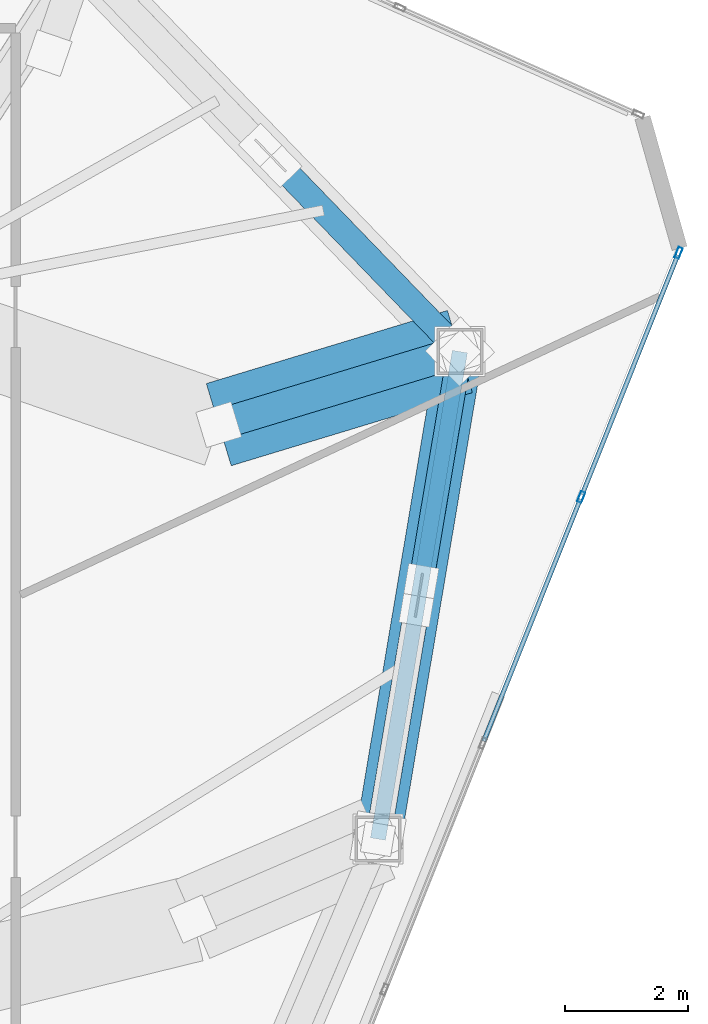
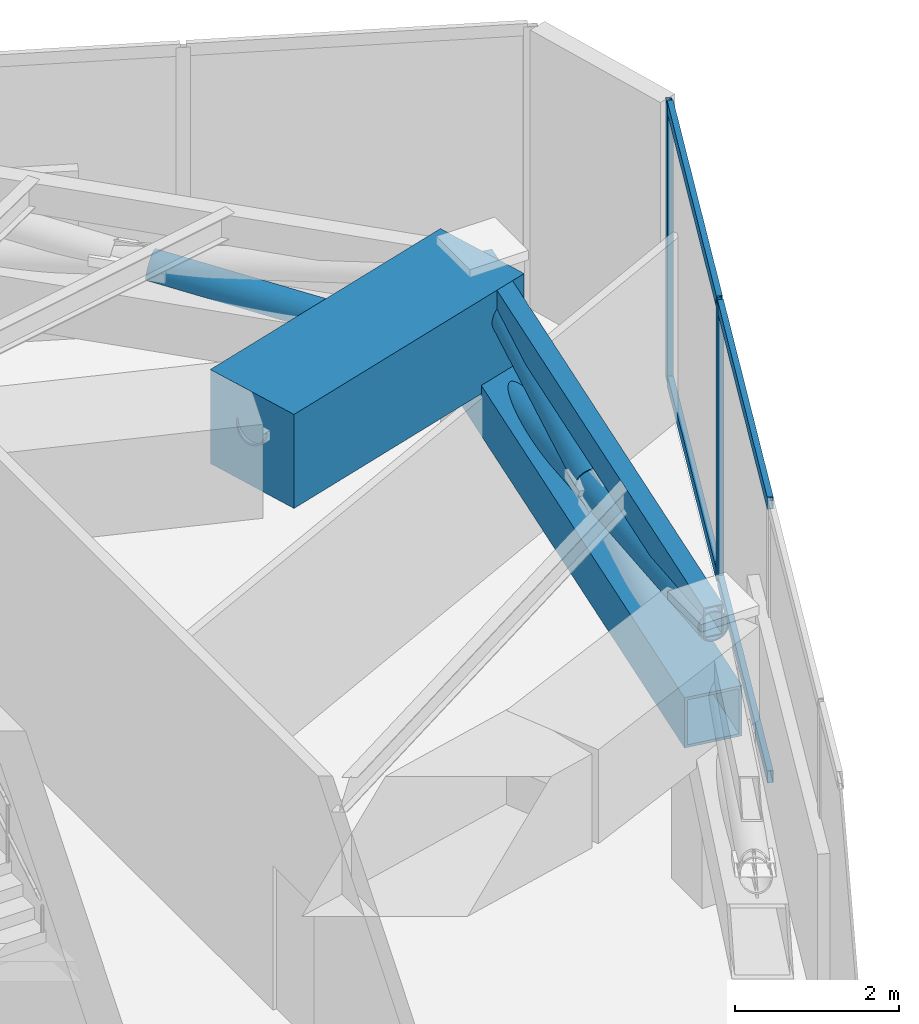
# One storey, part 11 of 21: 11 members, 2 beams, 1 element without a shape of its own.
"""IFC4 building model written with IfcOpenShell, lengths in metres."""

import ifcopenshell
import ifcopenshell.guid

model = None  # the IFC model being written
_history = None  # IfcOwnerHistory: only IFC2X3 demands one
_inside = {}  # id of a spatial element -> (the spatial element, [elements in it])
_under = {}  # id of a project, library or spatial element -> (it, [spatial elements below it])
_declared = {}  # id of a project -> (the project, [libraries it declares])
_typed = {}  # id of a type object -> (the type object, [elements of that type])
_made_of = {}  # id of a material, layer set ... -> (it, [elements and type objects made of it])


def new_model(schema):
    """Start an empty IFC model of exactly this schema.

    Asked for "IFC4X3", IfcOpenShell would pick the latest addendum, in which some entities
    have other attributes; the version numbers below select the first issue.
    IFC2X3 requires an IfcOwnerHistory on every rooted entity: one is made here for all.
    """
    global model, _history
    if schema == "IFC4X3":
        model = ifcopenshell.file(schema_version=(4, 3, 0, 0))
    else:
        model = ifcopenshell.file(schema=schema)
    _inside.clear()
    _under.clear()
    _declared.clear()
    _typed.clear()
    _made_of.clear()
    _history = None
    if model.schema == "IFC2X3":
        org = make("IfcOrganization", Name="unknown")
        user = make(
            "IfcPersonAndOrganization",
            ThePerson=make("IfcPerson", FamilyName="unknown"),
            TheOrganization=org,
        )
        app = make(
            "IfcApplication",
            ApplicationDeveloper=org,
            Version="unknown",
            ApplicationFullName="unknown",
            ApplicationIdentifier="unknown",
        )
        _history = make(
            "IfcOwnerHistory",
            OwningUser=user,
            OwningApplication=app,
            ChangeAction="ADDED",
            CreationDate=0,
        )
    return model


def make(cls, **values):
    """One entity of the class cls with the attributes given. An attribute that is None is left unset."""
    return model.create_entity(
        cls, **{name: value for name, value in values.items() if value is not None}
    )


def rooted(cls, **values):
    """An entity with a GlobalId (a new one), such as an element, a storey or a relation."""
    return make(cls, GlobalId=ifcopenshell.guid.new(), OwnerHistory=_history, **values)


def si_unit(unit_type, name, prefix=None):
    """IfcSIUnit, for example si_unit("LENGTHUNIT", "METRE", prefix="MILLI")."""
    return make("IfcSIUnit", UnitType=unit_type, Prefix=prefix, Name=name)


def assignment(units):
    """IfcUnitAssignment: the units of a project."""
    return None if units is None else make("IfcUnitAssignment", Units=units)


def point(xyz):
    """IfcCartesianPoint."""
    return None if xyz is None else make("IfcCartesianPoint", Coordinates=xyz)


def direction(xyz):
    """IfcDirection."""
    return None if xyz is None else make("IfcDirection", DirectionRatios=xyz)


def frame(location, z_axis=None, x_axis=None):
    """IfcAxis2Placement3D, a coordinate frame: its origin and axes. An axis left out is left unset."""
    return make(
        "IfcAxis2Placement3D",
        Location=point(location),
        Axis=direction(z_axis),
        RefDirection=direction(x_axis),
    )


def frame_2d(location, x_axis=None):
    """IfcAxis2Placement2D, a coordinate frame in the plane: its origin and x axis."""
    return make(
        "IfcAxis2Placement2D", Location=point(location), RefDirection=direction(x_axis)
    )


def origin():
    """The frame at (0, 0, 0) with its axes left unset."""
    return frame((0.0, 0.0, 0.0))


def origin_2d():
    """The frame at (0, 0) in the plane with its x axis left unset."""
    return frame_2d((0.0, 0.0))


def place(relative_to, where):
    """IfcLocalPlacement: puts the frame where relative to a parent placement (None: the world)."""
    return make(
        "IfcLocalPlacement", PlacementRelTo=relative_to, RelativePlacement=where
    )


def context(
    kind, dimensions, precision=None, world=None, true_north=None, identifier=None
):
    """IfcGeometricRepresentationContext, for example the 3D "Model" context."""
    return make(
        "IfcGeometricRepresentationContext",
        ContextIdentifier=identifier,
        ContextType=kind,
        CoordinateSpaceDimension=dimensions,
        Precision=precision,
        WorldCoordinateSystem=world,
        TrueNorth=true_north,
    )


def subcontext(parent, identifier, kind, view, scale=None):
    """IfcGeometricRepresentationSubContext, for example "Body" below "Model"."""
    return make(
        "IfcGeometricRepresentationSubContext",
        ContextIdentifier=identifier,
        ContextType=kind,
        ParentContext=parent,
        TargetScale=scale,
        TargetView=view,
    )


def project(units=None, contexts=None):
    """IfcProject with its units and contexts."""
    return rooted(
        "IfcProject",
        Name="project",
        RepresentationContexts=contexts,
        UnitsInContext=assignment(units),
    )


def spatial(cls, under=None, at=None, **own):
    """A site, building, storey or space (cls), placed at a placement, below another one or the project."""
    s = rooted(cls, ObjectPlacement=at, **own)
    if under is not None:
        _under.setdefault(under.id(), (under, []))[1].append(s)
    return s


def profile(cls, at=None, kind="AREA", **sizes):
    """A parametric profile (cls). Its sizes go by their IFC names, for example OverallWidth=200.0."""
    return make(cls, ProfileType=kind, Position=at, **sizes)


def rectangle(**sizes):
    """IfcRectangleProfileDef."""
    return profile("IfcRectangleProfileDef", **sizes)


def hollow_rectangle(**sizes):
    """IfcRectangleHollowProfileDef."""
    return profile("IfcRectangleHollowProfileDef", **sizes)


def hollow_circle(**sizes):
    """IfcCircleHollowProfileDef."""
    return profile("IfcCircleHollowProfileDef", **sizes)


def extrude(swept, where, along, depth):
    """IfcExtrudedAreaSolid: the profile swept, set in the frame where, extruded along a direction by depth."""
    return make(
        "IfcExtrudedAreaSolid",
        SweptArea=swept,
        Position=where,
        ExtrudedDirection=direction(along),
        Depth=depth,
    )


def shape(context_of_items, identifier, shape_type, items):
    """IfcShapeRepresentation: the items that make up one representation, for example the "Body"."""
    return make(
        "IfcShapeRepresentation",
        ContextOfItems=context_of_items,
        RepresentationIdentifier=identifier,
        RepresentationType=shape_type,
        Items=items,
    )


def source(mapping_origin, context_of_items, identifier, shape_type, items):
    """IfcRepresentationMap: a shape defined once, which mapped items show again and again."""
    return make(
        "IfcRepresentationMap",
        MappingOrigin=mapping_origin,
        MappedRepresentation=shape(context_of_items, identifier, shape_type, items),
    )


def transform(
    local_origin,
    x_axis=None,
    y_axis=None,
    z_axis=None,
    scale=None,
    scale2=None,
    scale3=None,
    uniform=True,
):
    """IfcCartesianTransformationOperator3D, or its non-uniform kind. x_axis, y_axis, z_axis: its Axis1, 2, 3."""
    if uniform:
        return make(
            "IfcCartesianTransformationOperator3D",
            Axis1=direction(x_axis),
            Axis2=direction(y_axis),
            LocalOrigin=point(local_origin),
            Scale=scale,
            Axis3=direction(z_axis),
        )
    return make(
        "IfcCartesianTransformationOperator3DnonUniform",
        Axis1=direction(x_axis),
        Axis2=direction(y_axis),
        LocalOrigin=point(local_origin),
        Scale=scale,
        Axis3=direction(z_axis),
        Scale2=scale2,
        Scale3=scale3,
    )


def mapped(mapping_source, mapping_target):
    """IfcMappedItem: shows the shape of a source again, moved by a transform."""
    return make(
        "IfcMappedItem", MappingSource=mapping_source, MappingTarget=mapping_target
    )


def material(Name=None, Category=None):
    """IfcMaterial."""
    return make("IfcMaterial", Name=Name, Category=Category)


def layer(
    of_material, thickness, ventilated=None, Name=None, Category=None, Priority=None
):
    """IfcMaterialLayer: one layer of a wall or slab, of a material (None: an air gap)."""
    return make(
        "IfcMaterialLayer",
        Material=of_material,
        LayerThickness=thickness,
        IsVentilated=ventilated,
        Name=Name,
        Category=Category,
        Priority=Priority,
    )


def layer_set(layers, Name=None):
    """IfcMaterialLayerSet."""
    return make("IfcMaterialLayerSet", MaterialLayers=layers, LayerSetName=Name)


def material_profile(
    of_material, cross_section, Name=None, Category=None, Priority=None
):
    """IfcMaterialProfile: a cross section and its material."""
    return make(
        "IfcMaterialProfile",
        Name=Name,
        Material=of_material,
        Profile=cross_section,
        Priority=Priority,
        Category=Category,
    )


def profile_set(profiles, Name=None, composite=None):
    """IfcMaterialProfileSet."""
    return make(
        "IfcMaterialProfileSet",
        Name=Name,
        MaterialProfiles=profiles,
        CompositeProfile=composite,
    )


def made_of(thing, what):
    """Note that an element or type object is made of a material, layer set ...; save() writes the relation."""
    if what is not None:
        _made_of.setdefault(what.id(), (what, []))[1].append(thing)
    return thing


def type_object(cls, material=None, **own):
    """A type object (cls), such as IfcWallType, which elements share."""
    return made_of(rooted(cls, **own), material)


def type_shapes(of_type, sources):
    """Give a type object the sources (RepresentationMaps) that its elements show as mapped items."""
    of_type.RepresentationMaps = sources


def element(
    cls,
    number,
    at=None,
    inside=None,
    cuts=None,
    type_object=None,
    material=None,
    context=None,
    identifier="Body",
    shape_type=None,
    held_by="IfcProductDefinitionShape",
    body=None,
    shapes=None,
    **own,
):
    """One element of the class cls, such as IfcWall. Its Tag is "e" and its number.

    at: its placement. inside: the storey or other place that contains it. cuts: it is an
    opening in that element (IfcRelVoidsElement). A single representation is given by context,
    identifier, shape_type and body (its items); several are given by shapes. held_by: the class
    of the entity that holds the representations. save() writes the other relations.
    """
    e = rooted(cls, Tag="e%d" % number, ObjectPlacement=at, **own)
    if body is not None:
        shapes = [shape(context, identifier, shape_type, body)]
    if shapes is not None:
        e.Representation = make(held_by, Representations=shapes)
    if inside is not None:
        _inside.setdefault(inside.id(), (inside, []))[1].append(e)
    if cuts is not None:
        rooted(
            "IfcRelVoidsElement", RelatingBuildingElement=cuts, RelatedOpeningElement=e
        )
    if type_object is not None:
        _typed.setdefault(type_object.id(), (type_object, []))[1].append(e)
    return made_of(e, material)


def aggregate(whole, parts):
    """IfcRelAggregates: a whole, such as a stair, and the parts it consists of."""
    return rooted("IfcRelAggregates", RelatingObject=whole, RelatedObjects=parts)


def save(model, path):
    """Write the relations noted so far, then the file.

    IfcRelAggregates (storeys below a building ...), IfcRelContainedInSpatialStructure (elements
    in a storey), IfcRelDefinesByType, IfcRelAssociatesMaterial and IfcRelDeclares: one each for
    every whole, place, type object, material and project.
    """
    for whole, parts in _under.values():
        aggregate(whole, parts)
    for where, things in _inside.values():
        rooted(
            "IfcRelContainedInSpatialStructure",
            RelatedElements=things,
            RelatingStructure=where,
        )
    for kind, things in _typed.values():
        rooted("IfcRelDefinesByType", RelatedObjects=things, RelatingType=kind)
    for what, things in _made_of.values():
        rooted("IfcRelAssociatesMaterial", RelatedObjects=things, RelatingMaterial=what)
    for by, libraries in _declared.values():
        rooted("IfcRelDeclares", RelatingContext=by, RelatedDefinitions=libraries)
    model.write(path)


model = new_model("IFC4")

# Units and contexts
model_context = context("Model", 3, precision=1e-05, world=origin(), true_north=direction((0.0, 1.0)))
body_context = subcontext(model_context, "Body", "Model", "MODEL_VIEW")
ifc_project = project(units=[si_unit("LENGTHUNIT", "METRE"), si_unit("AREAUNIT", "SQUARE_METRE"), si_unit("VOLUMEUNIT", "CUBIC_METRE"), si_unit("PLANEANGLEUNIT", "RADIAN"), si_unit("MASSUNIT", "GRAM", prefix="KILO")], contexts=[model_context])

# Site, building, storey
site_placement = place(None, origin())
site = spatial("IfcSite", under=ifc_project, at=site_placement, CompositionType="ELEMENT")
building_placement = place(site_placement, origin())
building = spatial("IfcBuilding", under=site, at=building_placement, Name="Talar Marvaseh", CompositionType="ELEMENT")
storey_placement = place(building_placement, frame((0.0, 0.0, 162.39990234375)))
storey = spatial("IfcBuildingStorey", under=building, at=storey_placement, Name="L42", CompositionType="ELEMENT", Elevation=162.39990234375)

# Beams
ifc_material_1 = material(Name="Concrete C70/85", Category="concrete")
ifc_material_profile_1 = material_profile(ifc_material_1, rectangle(XDim=1.39990234375, YDim=1.39990234375, at=origin_2d()), Name="RC1400x1400")
ifc_profile_set_1 = profile_set([ifc_material_profile_1], Name="Concrete C70/85")
beam_type_1 = type_object("IfcBeamType", Name="Setback Deep Concrete Transfer Girder RC1400x1400", PredefinedType="BEAM", material=ifc_profile_set_1)
beam_1_placement = place(storey_placement, frame((43.0439453125, 36.075927734375, 3.4501953125), z_axis=(-0.956976402767, -0.290165753575, 0.0), x_axis=(0.290165753575, -0.956976402767, 0.0)))
element("IfcBeam", 1, at=beam_1_placement, inside=storey, type_object=beam_type_1, Name="L42 Setback Cantilever Transfer Girder 3", PredefinedType="BEAM", context=body_context, shape_type="SweptSolid", body=[
    extrude(rectangle(XDim=1.39990234375, YDim=1.39990234375, at=origin_2d()), origin(), (0.0, 0.0, 1.0), 4.107666015625),
])
ifc_material_2 = material(Name="Steel S355", Category="steel")
ifc_material_profile_2 = material_profile(ifc_material_2, hollow_rectangle(XDim=0.25, YDim=0.449951171875, WallThickness=0.01611328125, at=origin_2d()), Name="RHS450x250x16")
ifc_profile_set_2 = profile_set([ifc_material_profile_2], Name="Steel S355")
beam_type_2 = type_object("IfcBeamType", Name="Zone 2 Perimeter Spandrel Beam RHS450x250x16", PredefinedType="SPANDREL", material=ifc_profile_set_2)
beam_2_placement = place(storey_placement, frame((43.0439453125, 36.075927734375, 3.925048828125), z_axis=(-0.165641685249, -0.986186002795, 0.0), x_axis=(0.986186002795, -0.165641685249, 0.0)))
element("IfcBeam", 2, at=beam_2_placement, inside=storey, type_object=beam_type_2, Name="L42 Zone 2 Perimeter Spandrel Beam RHS450x250x16", PredefinedType="SPANDREL", context=body_context, shape_type="SweptSolid", body=[
    extrude(hollow_rectangle(XDim=0.25, YDim=0.449951171875, WallThickness=0.01611328125, at=origin_2d()), origin(), (0.0, 0.0, 1.0), 8.059326171875),
])

# Members
ifc_material_3 = material(Name="Steel S460", Category="steel")
ifc_material_profile_3 = material_profile(ifc_material_3, hollow_circle(Radius=0.25390625, WallThickness=0.02001953125, at=origin_2d()), Name="CHS508x20")
ifc_profile_set_3 = profile_set([ifc_material_profile_3], Name="Steel S460")
member_type_1 = type_object("IfcMemberType", Name="Crown Frame Diagonal Brace CHS508x20", PredefinedType="BRACE", material=ifc_profile_set_3)
shared_shape_1 = source(origin(), body_context, "Body", "SweptSolid", [
    extrude(hollow_circle(Radius=0.25390625, WallThickness=0.02001953125, at=origin_2d()), origin(), (0.0, 0.0, 1.0), 4.25244140625),
])
type_shapes(member_type_1, [shared_shape_1])
member_1_placement = place(storey_placement, frame((43.0439453125, 36.075927734375, 2.550048828125), z_axis=(-0.924398562115, -0.280287794562, 0.258700696906), x_axis=(0.290165753575, -0.956976402767, 0.0)))
element("IfcMember", 3, at=member_1_placement, inside=storey, type_object=member_type_1, Name="L42 Setback Transfer Raked Strut 3", PredefinedType="BRACE", context=body_context, shape_type="MappedRepresentation", body=[
    mapped(shared_shape_1, transform((0.0, 0.0, 0.0), x_axis=(1.0, 0.0, 0.0), y_axis=(0.0, 1.0, 0.0), z_axis=(0.0, 0.0, 1.0), scale=1.0)),
])
ifc_material_profile_4 = material_profile(ifc_material_3, hollow_circle(Radius=0.203125, WallThickness=0.01611328125, at=origin_2d()), Name="CHS406x16")
ifc_profile_set_4 = profile_set([ifc_material_profile_4], Name="Steel S460")
member_type_2 = type_object("IfcMemberType", Name="Belt Truss Diagonal Brace CHS406x16", PredefinedType="BRACE", material=ifc_profile_set_4)
shared_shape_2 = source(origin(), body_context, "Body", "SweptSolid", [
    extrude(hollow_circle(Radius=0.203125, WallThickness=0.01611328125, at=origin_2d()), origin(), (0.0, 0.0, 1.0), 4.2568359375),
])
member_2_placement = place(storey_placement, frame((43.0439453125, 36.075927734375, 2.5), z_axis=(-0.68691353556, 0.711059030965, 0.150149422735), x_axis=(-0.719212516559, -0.69479015251, 0.0)))
element("IfcMember", 4, at=member_2_placement, inside=storey, type_object=member_type_2, Name="L42 Belt Truss Split Diagonal Lower 1", PredefinedType="BRACE", context=body_context, shape_type="MappedRepresentation", body=[
    mapped(shared_shape_2, transform((0.0, 0.0, 0.0), x_axis=(1.0, 0.0, 0.0), y_axis=(0.0, 1.0, 0.0), z_axis=(0.0, 0.0, 1.0), scale=1.0)),
])
ifc_material_profile_5 = material_profile(ifc_material_3, hollow_rectangle(XDim=0.75, YDim=0.75, WallThickness=0.0400390625, at=origin_2d()), Name="BOX750x750x40")
ifc_profile_set_5 = profile_set([ifc_material_profile_5], Name="Steel S460")
member_type_3 = type_object("IfcMemberType", Name="Belt Truss Chord Member BOX750x750x40", PredefinedType="CHORD", material=ifc_profile_set_5)
shared_shape_3 = source(origin(), body_context, "Body", "SweptSolid", [
    extrude(hollow_rectangle(XDim=0.75, YDim=0.75, WallThickness=0.0400390625, at=origin_2d()), origin(), (0.0, 0.0, 1.0), 8.059326171875),
])
type_shapes(member_type_3, [shared_shape_3])
member_3_placement = place(storey_placement, frame((43.0439453125, 36.075927734375, 2.5), z_axis=(-0.165641685249, -0.986186002795, 0.0), x_axis=(0.986186002795, -0.165641685249, 0.0)))
element("IfcMember", 5, at=member_3_placement, inside=storey, type_object=member_type_3, Name="L42 Belt Truss Bottom Chord 2", PredefinedType="CHORD", context=body_context, shape_type="MappedRepresentation", body=[
    mapped(shared_shape_3, transform((0.0, 0.0, 0.0), x_axis=(1.0, 0.0, 0.0), y_axis=(0.0, 1.0, 0.0), z_axis=(0.0, 0.0, 1.0), scale=1.0)),
])
shared_shape_4 = source(origin(), body_context, "Body", "SweptSolid", [
    extrude(hollow_circle(Radius=0.203125, WallThickness=0.01611328125, at=origin_2d()), origin(), (0.0, 0.0, 1.0), 8.171630859375),
])
member_4_placement = place(storey_placement, frame((43.0439453125, 36.075927734375, 2.5), z_axis=(-0.163365293431, -0.972632978722, 0.165217643137), x_axis=(0.986186002795, -0.165641685249, 0.0)))
element("IfcMember", 6, at=member_4_placement, inside=storey, type_object=member_type_2, Name="L42 Belt Truss Continuous Diagonal 2", PredefinedType="BRACE", context=body_context, shape_type="MappedRepresentation", body=[
    mapped(shared_shape_4, transform((0.0, 0.0, 0.0), x_axis=(1.0, 0.0, 0.0), y_axis=(0.0, 1.0, 0.0), z_axis=(0.0, 0.0, 1.0), scale=1.0)),
])
shared_shape_5 = source(origin(), body_context, "Body", "SweptSolid", [
    extrude(hollow_circle(Radius=0.203125, WallThickness=0.01611328125, at=origin_2d()), origin(), (0.0, 0.0, 1.0), 3.845703125),
])
type_shapes(member_type_2, [shared_shape_2, shared_shape_4, shared_shape_5])
member_5_placement = place(storey_placement, frame((42.415771484375, 32.33544921875, 3.214599609375), z_axis=(0.16334319342, 0.972631584291, 0.165247700144), x_axis=(-0.986189624204, 0.165620122908, 0.0)))
element("IfcMember", 7, at=member_5_placement, inside=storey, type_object=member_type_2, Name="L42 Belt Truss Split Diagonal Upper 2", PredefinedType="BRACE", context=body_context, shape_type="MappedRepresentation", body=[
    mapped(shared_shape_5, transform((0.0, 0.0, 0.0), x_axis=(1.0, 0.0, 0.0), y_axis=(0.0, 1.0, 0.0), z_axis=(0.0, 0.0, 1.0), scale=1.0)),
])

# Curtain wall, members
ifc_material_4 = material(Name="Architectural Aluminium", Category="aluminium")
ifc_layer = layer(ifc_material_4, 0.199951171875)
ifc_layer_set = layer_set([ifc_layer], Name="Architectural Aluminium")
curtain_wall_type = type_object("IfcCurtainWallType", Name="Unitised Acoustic Library Curtain Wall Z2", PredefinedType="NOTDEFINED", material=ifc_layer_set)
curtain_wall_placement = place(storey_placement, origin())
curtain_wall = element("IfcCurtainWall", 8, at=curtain_wall_placement, inside=storey, type_object=curtain_wall_type, Name="L42 Unitised Acoustic Library Curtain Wall Z2", PredefinedType="NOTDEFINED")
ifc_material_profile_6 = material_profile(ifc_material_4, hollow_rectangle(XDim=0.074951171875, YDim=0.179931640625, WallThickness=0.0048828125, at=origin_2d()), Name="RHS180x75x5")
ifc_profile_set_6 = profile_set([ifc_material_profile_6], Name="Architectural Aluminium")
member_type_4 = type_object("IfcMemberType", Name="Unitised Curtain Wall Transom RHS180x75x5", PredefinedType="USERDEFINED", material=ifc_profile_set_6)
shared_shape_6 = source(origin(), body_context, "Body", "SweptSolid", [
    extrude(hollow_rectangle(XDim=0.074951171875, YDim=0.179931640625, WallThickness=0.0048828125, at=origin_2d()), origin(), (0.0, 0.0, 1.0), 4.24853515625),
])
member_6_placement = place(storey_placement, frame((45.008056640625, 33.669677734375, 0.03759765625), z_axis=(-0.370706939923, -0.928749893509, 0.0), x_axis=(0.928749893509, -0.370706939923, 0.0)))
member_6 = element("IfcMember", 9, at=member_6_placement, type_object=member_type_4, Name="CW-Z2 transom 2.1", ObjectType="TRANSOM", PredefinedType="USERDEFINED", context=body_context, shape_type="MappedRepresentation", body=[
    mapped(shared_shape_6, transform((0.0, 0.0, 0.0), x_axis=(1.0, 0.0, 0.0), y_axis=(0.0, 1.0, 0.0), z_axis=(0.0, 0.0, 1.0), scale=1.0)),
])
member_7_placement = place(storey_placement, frame((45.008056640625, 33.669677734375, 4.112548828125), z_axis=(-0.370706939923, -0.928749893509, 0.0), x_axis=(0.928749893509, -0.370706939923, 0.0)))
member_7 = element("IfcMember", 10, at=member_7_placement, type_object=member_type_4, Name="CW-Z2 transom 2.2", ObjectType="TRANSOM", PredefinedType="USERDEFINED", context=body_context, shape_type="MappedRepresentation", body=[
    mapped(shared_shape_6, transform((0.0, 0.0, 0.0), x_axis=(1.0, 0.0, 0.0), y_axis=(0.0, 1.0, 0.0), z_axis=(0.0, 0.0, 1.0), scale=1.0)),
])
shared_shape_7 = source(origin(), body_context, "Body", "SweptSolid", [
    extrude(hollow_rectangle(XDim=0.074951171875, YDim=0.179931640625, WallThickness=0.0048828125, at=origin_2d()), origin(), (0.0, 0.0, 1.0), 4.2109375),
])
type_shapes(member_type_4, [shared_shape_6, shared_shape_7])
member_8_placement = place(storey_placement, frame((46.596923828125, 37.650390625, 0.03759765625), z_axis=(-0.370710835667, -0.928748338528, 0.0), x_axis=(0.928748338528, -0.370710835667, 0.0)))
member_8 = element("IfcMember", 11, at=member_8_placement, type_object=member_type_4, Name="CW-Z2 transom 1.1", ObjectType="TRANSOM", PredefinedType="USERDEFINED", context=body_context, shape_type="MappedRepresentation", body=[
    mapped(shared_shape_7, transform((0.0, 0.0, 0.0), x_axis=(1.0, 0.0, 0.0), y_axis=(0.0, 1.0, 0.0), z_axis=(0.0, 0.0, 1.0), scale=1.0)),
])
member_9_placement = place(storey_placement, frame((46.596923828125, 37.650390625, 4.112548828125), z_axis=(-0.370710835667, -0.928748338528, 0.0), x_axis=(0.928748338528, -0.370710835667, 0.0)))
member_9 = element("IfcMember", 12, at=member_9_placement, type_object=member_type_4, Name="CW-Z2 transom 1.2", ObjectType="TRANSOM", PredefinedType="USERDEFINED", context=body_context, shape_type="MappedRepresentation", body=[
    mapped(shared_shape_7, transform((0.0, 0.0, 0.0), x_axis=(1.0, 0.0, 0.0), y_axis=(0.0, 1.0, 0.0), z_axis=(0.0, 0.0, 1.0), scale=1.0)),
])
ifc_material_profile_7 = material_profile(ifc_material_4, hollow_rectangle(XDim=0.074951171875, YDim=0.179931640625, WallThickness=0.0048828125, at=origin_2d()), Name="RHS180x75x5")
ifc_profile_set_7 = profile_set([ifc_material_profile_7], Name="Architectural Aluminium")
member_type_5 = type_object("IfcMemberType", Name="Unitised Curtain Wall Standard Mullion RHS180x75x5", PredefinedType="MULLION", material=ifc_profile_set_7)
shared_shape_8 = source(origin(), body_context, "Body", "SweptSolid", [
    extrude(hollow_rectangle(XDim=0.074951171875, YDim=0.179931640625, WallThickness=0.0048828125, at=origin_2d()), origin(), (0.0, 0.0, 1.0), 4.150146484375),
])
type_shapes(member_type_5, [shared_shape_8])
member_10_placement = place(storey_placement, frame((46.61083984375, 37.685302734375, 0.0), z_axis=(0.0, 0.0, 1.0), x_axis=(0.928751753992, -0.370702278732, 0.0)))
member_10 = element("IfcMember", 13, at=member_10_placement, type_object=member_type_5, Name="CW-Z2 mullion 1", PredefinedType="MULLION", context=body_context, shape_type="MappedRepresentation", body=[
    mapped(shared_shape_8, transform((0.0, 0.0, 0.0), x_axis=(1.0, 0.0, 0.0), y_axis=(0.0, 1.0, 0.0), z_axis=(0.0, 0.0, 1.0), scale=1.0)),
])
member_11_placement = place(storey_placement, frame((45.02197265625, 33.70458984375, 0.0), z_axis=(0.0, 0.0, 1.0), x_axis=(0.928751753992, -0.370702278732, 0.0)))
member_11 = element("IfcMember", 14, at=member_11_placement, type_object=member_type_5, Name="CW-Z2 mullion 2", PredefinedType="MULLION", context=body_context, shape_type="MappedRepresentation", body=[
    mapped(shared_shape_8, transform((0.0, 0.0, 0.0), x_axis=(1.0, 0.0, 0.0), y_axis=(0.0, 1.0, 0.0), z_axis=(0.0, 0.0, 1.0), scale=1.0)),
])
aggregate(curtain_wall, [member_10, member_11, member_8, member_9, member_6, member_7])

save(model, "model.ifc")
